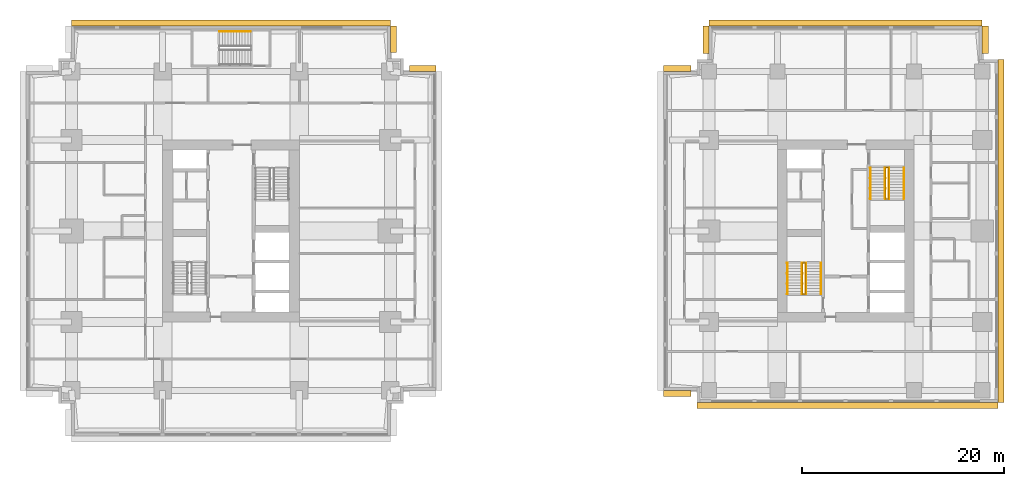
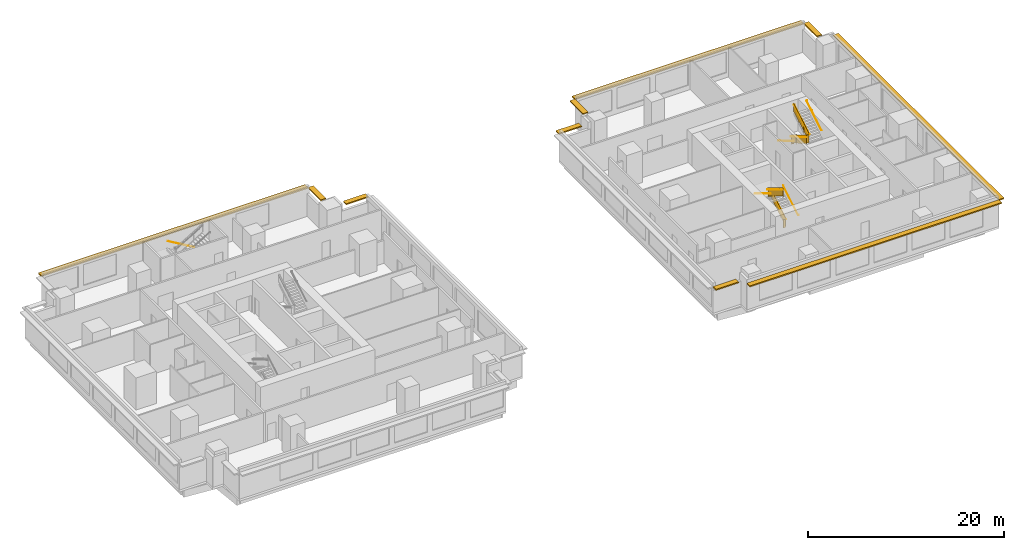
# One storey, part 10 of 10: 11 railings, 10 shading devices.
"""IFC4 building model written with IfcOpenShell, lengths in metres."""

from ifc_helpers import new_model, si_unit, direction, frame, origin, origin_2d, place, context, subcontext, project, spatial, polyline, rectangle, circle, outline, extrude, material, layer, layer_set, type_object, element, save


model = new_model("IFC4")

# Units and contexts
model_context = context("Model", 3, precision=1e-05, world=origin(), true_north=direction((0.0, 1.0)))
body_context = subcontext(model_context, "Body", "Model", "MODEL_VIEW")
ifc_project = project(units=[si_unit("LENGTHUNIT", "METRE"), si_unit("AREAUNIT", "SQUARE_METRE"), si_unit("VOLUMEUNIT", "CUBIC_METRE"), si_unit("PLANEANGLEUNIT", "RADIAN"), si_unit("MASSUNIT", "GRAM", prefix="KILO")], contexts=[model_context])

# Site, building, storey
site_placement = place(None, origin())
site = spatial("IfcSite", under=ifc_project, at=site_placement, CompositionType="ELEMENT")
building_placement = place(site_placement, origin())
building = spatial("IfcBuilding", under=site, at=building_placement, Name="Namib Vertical Campus", CompositionType="ELEMENT")
storey_placement = place(building_placement, frame((0.0, 0.0, 157.0)))
storey = spatial("IfcBuildingStorey", under=building, at=storey_placement, Name="L37", CompositionType="ELEMENT", Elevation=157.0)

# Railings
ifc_material_1 = material(Name="Steel handrail", Category="steel")
railing_type_1 = type_object("IfcRailingType", Name="Handrail 900", PredefinedType="HANDRAIL", material=ifc_material_1)
railing_1_placement = place(storey_placement, frame((78.550048828125, 14.0, 0.166748046875)))
element("IfcRailing", 1, at=railing_1_placement, inside=storey, type_object=railing_type_1, Name="Handrail HR1 B-S1 L37 1", PredefinedType="HANDRAIL", context=body_context, shape_type="SweptSolid", body=[
    extrude(circle(Radius=0.02392578125, at=origin_2d()), frame((0.0, 0.0, 0.8759765625), z_axis=(0.0, 0.859308565015, 0.511457515432), x_axis=(-1.0, 0.0, 0.0)), (0.0, 0.0, 1.0), 3.58447265625),
    extrude(circle(Radius=0.008056640625, at=origin_2d()), frame((0.0, 0.0, 0.8759765625), z_axis=(1.0, 0.0, 0.0), x_axis=(0.0, 0.0, 1.0)), (0.0, 0.0, 1.0), 0.050048828125),
    extrude(circle(Radius=0.008056640625, at=origin_2d()), frame((0.0, 1.026611328125, 1.48681640625), z_axis=(1.0, 0.0, 0.0), x_axis=(0.0, 0.0, 1.0)), (0.0, 0.0, 1.0), 0.050048828125),
    extrude(circle(Radius=0.008056640625, at=origin_2d()), frame((0.0, 2.053466796875, 2.09814453125), z_axis=(1.0, 0.0, 0.0), x_axis=(0.0, 0.0, 1.0)), (0.0, 0.0, 1.0), 0.050048828125),
    extrude(circle(Radius=0.008056640625, at=origin_2d()), frame((0.0, 3.080078125, 2.708984375), z_axis=(1.0, 0.0, 0.0), x_axis=(0.0, 0.0, 1.0)), (0.0, 0.0, 1.0), 0.050048828125),
])
railing_2_placement = place(storey_placement, frame((75.25, 17.080078125, 2.166748046875)))
element("IfcRailing", 2, at=railing_2_placement, inside=storey, type_object=railing_type_1, Name="Handrail HR1 B-S1 L37 2", PredefinedType="HANDRAIL", context=body_context, shape_type="SweptSolid", body=[
    extrude(circle(Radius=0.02392578125, at=origin_2d()), frame((0.0, 0.0, 0.8759765625), z_axis=(0.0, -0.859308565015, 0.511457515432), x_axis=(1.0, 0.0, 0.0)), (0.0, 0.0, 1.0), 3.58447265625),
    extrude(circle(Radius=0.008056640625, at=origin_2d()), frame((0.0, 0.0, 0.8759765625), z_axis=(-1.0, 0.0, 0.0), x_axis=(0.0, 0.0, 1.0)), (0.0, 0.0, 1.0), 0.050048828125),
    extrude(circle(Radius=0.008056640625, at=origin_2d()), frame((0.0, -1.026611328125, 1.48681640625), z_axis=(-1.0, 0.0, 0.0), x_axis=(0.0, 0.0, 1.0)), (0.0, 0.0, 1.0), 0.050048828125),
    extrude(circle(Radius=0.008056640625, at=origin_2d()), frame((0.0, -2.053466796875, 2.09814453125), z_axis=(-1.0, 0.0, 0.0), x_axis=(0.0, 0.0, 1.0)), (0.0, 0.0, 1.0), 0.050048828125),
    extrude(circle(Radius=0.008056640625, at=origin_2d()), frame((0.0, -3.080078125, 2.708984375), z_axis=(-1.0, 0.0, 0.0), x_axis=(0.0, 0.0, 1.0)), (0.0, 0.0, 1.0), 0.050048828125),
])
railing_3_placement = place(storey_placement, frame((77.10009765625, 14.0, 0.166748046875)))
element("IfcRailing", 3, at=railing_3_placement, inside=storey, type_object=railing_type_1, Name="Handrail HR1 B-S1 L37 1 at the well", PredefinedType="HANDRAIL", context=body_context, shape_type="SweptSolid", body=[
    extrude(circle(Radius=0.02392578125, at=origin_2d()), frame((0.0, 0.0, 0.8759765625), z_axis=(0.0, 0.859308565015, 0.511457515432), x_axis=(-1.0, 0.0, 0.0)), (0.0, 0.0, 1.0), 3.58447265625),
    extrude(circle(Radius=0.008056640625, at=origin_2d()), frame((0.0, 0.0, 0.8759765625), z_axis=(-1.0, 0.0, 0.0), x_axis=(0.0, 0.0, 1.0)), (0.0, 0.0, 1.0), 0.0400390625),
    extrude(circle(Radius=0.008056640625, at=origin_2d()), frame((0.0, 1.026611328125, 1.48681640625), z_axis=(-1.0, 0.0, 0.0), x_axis=(0.0, 0.0, 1.0)), (0.0, 0.0, 1.0), 0.0400390625),
    extrude(circle(Radius=0.008056640625, at=origin_2d()), frame((0.0, 2.053466796875, 2.09814453125), z_axis=(-1.0, 0.0, 0.0), x_axis=(0.0, 0.0, 1.0)), (0.0, 0.0, 1.0), 0.0400390625),
    extrude(circle(Radius=0.008056640625, at=origin_2d()), frame((0.0, 3.080078125, 2.708984375), z_axis=(-1.0, 0.0, 0.0), x_axis=(0.0, 0.0, 1.0)), (0.0, 0.0, 1.0), 0.0400390625),
])
railing_4_placement = place(storey_placement, frame((76.699951171875, 17.080078125, 2.166748046875)))
element("IfcRailing", 4, at=railing_4_placement, inside=storey, type_object=railing_type_1, Name="Handrail HR1 B-S1 L37 2 at the well", PredefinedType="HANDRAIL", context=body_context, shape_type="SweptSolid", body=[
    extrude(circle(Radius=0.02392578125, at=origin_2d()), frame((0.0, 0.0, 0.8759765625), z_axis=(0.0, -0.859308565015, 0.511457515432), x_axis=(1.0, 0.0, 0.0)), (0.0, 0.0, 1.0), 3.58447265625),
    extrude(circle(Radius=0.008056640625, at=origin_2d()), frame((0.0, 0.0, 0.8759765625), z_axis=(1.0, 0.0, 0.0), x_axis=(0.0, 0.0, 1.0)), (0.0, 0.0, 1.0), 0.0400390625),
    extrude(circle(Radius=0.008056640625, at=origin_2d()), frame((0.0, -1.026611328125, 1.48681640625), z_axis=(1.0, 0.0, 0.0), x_axis=(0.0, 0.0, 1.0)), (0.0, 0.0, 1.0), 0.0400390625),
    extrude(circle(Radius=0.008056640625, at=origin_2d()), frame((0.0, -2.053466796875, 2.09814453125), z_axis=(1.0, 0.0, 0.0), x_axis=(0.0, 0.0, 1.0)), (0.0, 0.0, 1.0), 0.0400390625),
    extrude(circle(Radius=0.008056640625, at=origin_2d()), frame((0.0, -3.080078125, 2.708984375), z_axis=(1.0, 0.0, 0.0), x_axis=(0.0, 0.0, 1.0)), (0.0, 0.0, 1.0), 0.0400390625),
])
railing_5_placement = place(storey_placement, frame((83.449951171875, 26.5, 0.166748046875)))
element("IfcRailing", 5, at=railing_5_placement, inside=storey, type_object=railing_type_1, Name="Handrail HR1 B-S2 L37 1", PredefinedType="HANDRAIL", context=body_context, shape_type="SweptSolid", body=[
    extrude(circle(Radius=0.02392578125, at=origin_2d()), frame((0.0, 0.0, 0.8759765625), z_axis=(0.0, -0.859308565015, 0.511457515432), x_axis=(1.0, 0.0, 0.0)), (0.0, 0.0, 1.0), 3.58447265625),
    extrude(circle(Radius=0.008056640625, at=origin_2d()), frame((0.0, 0.0, 0.8759765625), z_axis=(-1.0, 0.0, 0.0), x_axis=(0.0, 0.0, 1.0)), (0.0, 0.0, 1.0), 0.050048828125),
    extrude(circle(Radius=0.008056640625, at=origin_2d()), frame((0.0, -1.026611328125, 1.48681640625), z_axis=(-1.0, 0.0, 0.0), x_axis=(0.0, 0.0, 1.0)), (0.0, 0.0, 1.0), 0.050048828125),
    extrude(circle(Radius=0.008056640625, at=origin_2d()), frame((0.0, -2.053466796875, 2.09814453125), z_axis=(-1.0, 0.0, 0.0), x_axis=(0.0, 0.0, 1.0)), (0.0, 0.0, 1.0), 0.050048828125),
    extrude(circle(Radius=0.008056640625, at=origin_2d()), frame((0.0, -3.080078125, 2.708984375), z_axis=(-1.0, 0.0, 0.0), x_axis=(0.0, 0.0, 1.0)), (0.0, 0.0, 1.0), 0.050048828125),
])
railing_6_placement = place(storey_placement, frame((86.75, 23.419921875, 2.166748046875)))
element("IfcRailing", 6, at=railing_6_placement, inside=storey, type_object=railing_type_1, Name="Handrail HR1 B-S2 L37 2", PredefinedType="HANDRAIL", context=body_context, shape_type="SweptSolid", body=[
    extrude(circle(Radius=0.02392578125, at=origin_2d()), frame((0.0, 0.0, 0.8759765625), z_axis=(0.0, 0.859308565015, 0.511457515432), x_axis=(-1.0, 0.0, 0.0)), (0.0, 0.0, 1.0), 3.58447265625),
    extrude(circle(Radius=0.008056640625, at=origin_2d()), frame((0.0, 0.0, 0.8759765625), z_axis=(1.0, 0.0, 0.0), x_axis=(0.0, 0.0, 1.0)), (0.0, 0.0, 1.0), 0.050048828125),
    extrude(circle(Radius=0.008056640625, at=origin_2d()), frame((0.0, 1.026611328125, 1.48681640625), z_axis=(1.0, 0.0, 0.0), x_axis=(0.0, 0.0, 1.0)), (0.0, 0.0, 1.0), 0.050048828125),
    extrude(circle(Radius=0.008056640625, at=origin_2d()), frame((0.0, 2.053466796875, 2.09814453125), z_axis=(1.0, 0.0, 0.0), x_axis=(0.0, 0.0, 1.0)), (0.0, 0.0, 1.0), 0.050048828125),
    extrude(circle(Radius=0.008056640625, at=origin_2d()), frame((0.0, 3.080078125, 2.708984375), z_axis=(1.0, 0.0, 0.0), x_axis=(0.0, 0.0, 1.0)), (0.0, 0.0, 1.0), 0.050048828125),
])
railing_7_placement = place(storey_placement, frame((84.89990234375, 26.5, 0.166748046875)))
element("IfcRailing", 7, at=railing_7_placement, inside=storey, type_object=railing_type_1, Name="Handrail HR1 B-S2 L37 1 at the well", PredefinedType="HANDRAIL", context=body_context, shape_type="SweptSolid", body=[
    extrude(circle(Radius=0.02392578125, at=origin_2d()), frame((0.0, 0.0, 0.8759765625), z_axis=(0.0, -0.859308565015, 0.511457515432), x_axis=(1.0, 0.0, 0.0)), (0.0, 0.0, 1.0), 3.58447265625),
    extrude(circle(Radius=0.008056640625, at=origin_2d()), frame((0.0, 0.0, 0.8759765625), z_axis=(1.0, 0.0, 0.0), x_axis=(0.0, 0.0, 1.0)), (0.0, 0.0, 1.0), 0.0400390625),
    extrude(circle(Radius=0.008056640625, at=origin_2d()), frame((0.0, -1.026611328125, 1.48681640625), z_axis=(1.0, 0.0, 0.0), x_axis=(0.0, 0.0, 1.0)), (0.0, 0.0, 1.0), 0.0400390625),
    extrude(circle(Radius=0.008056640625, at=origin_2d()), frame((0.0, -2.053466796875, 2.09814453125), z_axis=(1.0, 0.0, 0.0), x_axis=(0.0, 0.0, 1.0)), (0.0, 0.0, 1.0), 0.0400390625),
    extrude(circle(Radius=0.008056640625, at=origin_2d()), frame((0.0, -3.080078125, 2.708984375), z_axis=(1.0, 0.0, 0.0), x_axis=(0.0, 0.0, 1.0)), (0.0, 0.0, 1.0), 0.0400390625),
])
railing_8_placement = place(storey_placement, frame((85.300048828125, 23.419921875, 2.166748046875)))
element("IfcRailing", 8, at=railing_8_placement, inside=storey, type_object=railing_type_1, Name="Handrail HR1 B-S2 L37 2 at the well", PredefinedType="HANDRAIL", context=body_context, shape_type="SweptSolid", body=[
    extrude(circle(Radius=0.02392578125, at=origin_2d()), frame((0.0, 0.0, 0.8759765625), z_axis=(0.0, 0.859308565015, 0.511457515432), x_axis=(-1.0, 0.0, 0.0)), (0.0, 0.0, 1.0), 3.58447265625),
    extrude(circle(Radius=0.008056640625, at=origin_2d()), frame((0.0, 0.0, 0.8759765625), z_axis=(-1.0, 0.0, 0.0), x_axis=(0.0, 0.0, 1.0)), (0.0, 0.0, 1.0), 0.0400390625),
    extrude(circle(Radius=0.008056640625, at=origin_2d()), frame((0.0, 1.026611328125, 1.48681640625), z_axis=(-1.0, 0.0, 0.0), x_axis=(0.0, 0.0, 1.0)), (0.0, 0.0, 1.0), 0.0400390625),
    extrude(circle(Radius=0.008056640625, at=origin_2d()), frame((0.0, 2.053466796875, 2.09814453125), z_axis=(-1.0, 0.0, 0.0), x_axis=(0.0, 0.0, 1.0)), (0.0, 0.0, 1.0), 0.0400390625),
    extrude(circle(Radius=0.008056640625, at=origin_2d()), frame((0.0, 3.080078125, 2.708984375), z_axis=(-1.0, 0.0, 0.0), x_axis=(0.0, 0.0, 1.0)), (0.0, 0.0, 1.0), 0.0400390625),
])
railing_9_placement = place(storey_placement, frame((22.199951171875, 39.949951171875, 0.166748046875)))
element("IfcRailing", 9, at=railing_9_placement, inside=storey, type_object=railing_type_1, Name="Handrail HR1 A-S3 L37 1", PredefinedType="HANDRAIL", context=body_context, shape_type="SweptSolid", body=[
    extrude(circle(Radius=0.02392578125, at=origin_2d()), frame((0.0, 0.0, 0.8759765625), z_axis=(-0.859290745958, 0.0, 0.51148745235), x_axis=(0.0, -1.0, 0.0)), (0.0, 0.0, 1.0), 3.584228515625),
    extrude(circle(Radius=0.008056640625, at=origin_2d()), frame((0.0, 0.0, 0.8759765625), z_axis=(0.0, 1.0, 0.0), x_axis=(0.0, 0.0, 1.0)), (0.0, 0.0, 1.0), 0.050048828125),
    extrude(circle(Radius=0.008056640625, at=origin_2d()), frame((-1.026611328125, 0.0, 1.48681640625), z_axis=(0.0, 1.0, 0.0), x_axis=(0.0, 0.0, 1.0)), (0.0, 0.0, 1.0), 0.050048828125),
    extrude(circle(Radius=0.008056640625, at=origin_2d()), frame((-2.05322265625, 0.0, 2.09814453125), z_axis=(0.0, 1.0, 0.0), x_axis=(0.0, 0.0, 1.0)), (0.0, 0.0, 1.0), 0.050048828125),
    extrude(circle(Radius=0.008056640625, at=origin_2d()), frame((-3.079833984375, 0.0, 2.708984375), z_axis=(0.0, 1.0, 0.0), x_axis=(0.0, 0.0, 1.0)), (0.0, 0.0, 1.0), 0.050048828125),
])
ifc_material_2 = material(Name="Steel balustrade", Category="steel")
railing_type_2 = type_object("IfcRailingType", Name="Stair guard 1100", PredefinedType="GUARDRAIL", material=ifc_material_2)
railing_10_placement = place(storey_placement, frame((76.75, 14.0, 0.0)))
element("IfcRailing", 10, at=railing_10_placement, inside=storey, type_object=railing_type_2, Name="Stair guard GR1 B-S1 L37", PredefinedType="GUARDRAIL", context=body_context, shape_type="SweptSolid", body=[
    extrude(circle(Radius=0.02392578125, at=origin_2d()), frame((0.0, 0.0, 1.076171875), z_axis=(1.0, 0.0, 0.0), x_axis=(0.0, 1.0, 0.0)), (0.0, 0.0, 1.0), 0.300048828125),
    extrude(outline(polyline([(0.02099609375, 0.050048828125), (0.279052734375, 0.050048828125), (0.279052734375, 1.052001953125), (0.02099609375, 1.052001953125), (0.02099609375, 0.050048828125)])), frame((0.0, 0.010009765625, 0.0), z_axis=(0.0, -1.0, 0.0), x_axis=(1.0, 0.0, 0.0)), (0.0, 0.0, 1.0), 0.02001953125),
    extrude(circle(Radius=0.02392578125, at=origin_2d()), frame((0.300048828125, 0.0, 1.076171875), z_axis=(0.0, 0.0, 1.0), x_axis=(1.0, 0.0, 0.0)), (0.0, 0.0, 1.0), 0.166748046875),
    extrude(circle(Radius=0.02392578125, at=origin_2d()), frame((0.300048828125, 0.0, 1.24267578125), z_axis=(0.0, 0.859308565015, 0.511457515432), x_axis=(-1.0, 0.0, 0.0)), (0.0, 0.0, 1.0), 3.58447265625),
    extrude(outline(polyline([(0.02099609375, 0.0625), (3.05908203125, 1.870849609375), (3.05908203125, 2.872802734375), (0.02099609375, 1.064453125), (0.02099609375, 0.0625)])), frame((0.2900390625, 0.0, 0.166748046875), z_axis=(1.0, 0.0, 0.0), x_axis=(0.0, 1.0, 0.0)), (0.0, 0.0, 1.0), 0.02001953125),
    extrude(circle(Radius=0.02392578125, at=origin_2d()), frame((0.300048828125, 3.080078125, 3.076171875), z_axis=(-1.0, 0.0, 0.0), x_axis=(0.0, -1.0, 0.0)), (0.0, 0.0, 1.0), 0.300048828125),
    extrude(outline(polyline([(0.02099609375, 0.050048828125), (0.279052734375, 0.050048828125), (0.279052734375, 1.052001953125), (0.02099609375, 1.052001953125), (0.02099609375, 0.050048828125)])), frame((0.300048828125, 3.070068359375, 2.0), z_axis=(0.0, 1.0, 0.0), x_axis=(-1.0, 0.0, 0.0)), (0.0, 0.0, 1.0), 0.02001953125),
    extrude(circle(Radius=0.02392578125, at=origin_2d()), frame((0.0, 3.080078125, 3.076171875), z_axis=(0.0, 0.0, 1.0), x_axis=(1.0, 0.0, 0.0)), (0.0, 0.0, 1.0), 0.166748046875),
    extrude(circle(Radius=0.02392578125, at=origin_2d()), frame((0.0, 3.080078125, 3.24267578125), z_axis=(0.0, -0.859308565015, 0.511457515432), x_axis=(1.0, 0.0, 0.0)), (0.0, 0.0, 1.0), 3.58447265625),
    extrude(outline(polyline([(0.02099609375, 0.0625), (3.05908203125, 1.870849609375), (3.05908203125, 2.872802734375), (0.02099609375, 1.064453125), (0.02099609375, 0.0625)])), frame((0.010009765625, 3.080078125, 2.166748046875), z_axis=(-1.0, 0.0, 0.0), x_axis=(0.0, -1.0, 0.0)), (0.0, 0.0, 1.0), 0.02001953125),
    extrude(circle(Radius=0.02392578125, at=origin_2d()), frame((0.0, 0.0, 5.076171875), z_axis=(0.0, -1.0, 0.0), x_axis=(1.0, 0.0, 0.0)), (0.0, 0.0, 1.0), 0.050048828125),
    extrude(outline(polyline([(0.02099609375, 0.050048828125), (0.029052734375, 0.050048828125), (0.029052734375, 1.052001953125), (0.02099609375, 1.052001953125), (0.02099609375, 0.050048828125)])), frame((0.010009765625, 0.0, 4.0), z_axis=(-1.0, 0.0, 0.0), x_axis=(0.0, -1.0, 0.0)), (0.0, 0.0, 1.0), 0.02001953125),
    extrude(circle(Radius=0.02099609375, at=origin_2d()), origin(), (0.0, 0.0, 1.0), 1.052001953125),
    extrude(circle(Radius=0.02099609375, at=origin_2d()), frame((0.300048828125, 0.0, 0.166748046875)), (0.0, 0.0, 1.0), 1.052001953125),
    extrude(circle(Radius=0.02099609375, at=origin_2d()), frame((0.300048828125, 1.026611328125, 0.666748046875)), (0.0, 0.0, 1.0), 1.1630859375),
    extrude(circle(Radius=0.02099609375, at=origin_2d()), frame((0.300048828125, 2.053466796875, 1.33349609375)), (0.0, 0.0, 1.0), 1.107421875),
    extrude(circle(Radius=0.02099609375, at=origin_2d()), frame((0.300048828125, 3.080078125, 2.0)), (0.0, 0.0, 1.0), 1.052001953125),
    extrude(circle(Radius=0.02099609375, at=origin_2d()), frame((0.0, 3.080078125, 2.166748046875)), (0.0, 0.0, 1.0), 1.052001953125),
    extrude(circle(Radius=0.02099609375, at=origin_2d()), frame((0.0, 2.053466796875, 2.666748046875)), (0.0, 0.0, 1.0), 1.1630859375),
    extrude(circle(Radius=0.02099609375, at=origin_2d()), frame((0.0, 1.026611328125, 3.33349609375)), (0.0, 0.0, 1.0), 1.107421875),
    extrude(circle(Radius=0.02099609375, at=origin_2d()), frame((0.0, 0.0, 4.0)), (0.0, 0.0, 1.0), 1.052001953125),
    extrude(circle(Radius=0.02099609375, at=origin_2d()), frame((0.0, -0.050048828125, 4.0)), (0.0, 0.0, 1.0), 1.052001953125),
])
railing_11_placement = place(storey_placement, frame((85.25, 26.5, 0.0)))
element("IfcRailing", 11, at=railing_11_placement, inside=storey, type_object=railing_type_2, Name="Stair guard GR1 B-S2 L37", PredefinedType="GUARDRAIL", context=body_context, shape_type="SweptSolid", body=[
    extrude(circle(Radius=0.02392578125, at=origin_2d()), frame((0.0, 0.0, 1.076171875), z_axis=(-1.0, 0.0, 0.0), x_axis=(0.0, -1.0, 0.0)), (0.0, 0.0, 1.0), 0.300048828125),
    extrude(outline(polyline([(0.02099609375, 0.050048828125), (0.279052734375, 0.050048828125), (0.279052734375, 1.052001953125), (0.02099609375, 1.052001953125), (0.02099609375, 0.050048828125)])), frame((0.0, -0.010009765625, 0.0), z_axis=(0.0, 1.0, 0.0), x_axis=(-1.0, 0.0, 0.0)), (0.0, 0.0, 1.0), 0.02001953125),
    extrude(circle(Radius=0.02392578125, at=origin_2d()), frame((-0.300048828125, 0.0, 1.076171875), z_axis=(0.0, 0.0, 1.0), x_axis=(1.0, 0.0, 0.0)), (0.0, 0.0, 1.0), 0.166748046875),
    extrude(circle(Radius=0.02392578125, at=origin_2d()), frame((-0.300048828125, 0.0, 1.24267578125), z_axis=(0.0, -0.859308565015, 0.511457515432), x_axis=(1.0, 0.0, 0.0)), (0.0, 0.0, 1.0), 3.58447265625),
    extrude(outline(polyline([(0.02099609375, 0.0625), (3.05908203125, 1.870849609375), (3.05908203125, 2.872802734375), (0.02099609375, 1.064453125), (0.02099609375, 0.0625)])), frame((-0.2900390625, 0.0, 0.166748046875), z_axis=(-1.0, 0.0, 0.0), x_axis=(0.0, -1.0, 0.0)), (0.0, 0.0, 1.0), 0.02001953125),
    extrude(circle(Radius=0.02392578125, at=origin_2d()), frame((-0.300048828125, -3.080078125, 3.076171875), z_axis=(1.0, 0.0, 0.0), x_axis=(0.0, 1.0, 0.0)), (0.0, 0.0, 1.0), 0.300048828125),
    extrude(outline(polyline([(0.02099609375, 0.050048828125), (0.279052734375, 0.050048828125), (0.279052734375, 1.052001953125), (0.02099609375, 1.052001953125), (0.02099609375, 0.050048828125)])), frame((-0.300048828125, -3.070068359375, 2.0), z_axis=(0.0, -1.0, 0.0), x_axis=(1.0, 0.0, 0.0)), (0.0, 0.0, 1.0), 0.02001953125),
    extrude(circle(Radius=0.02392578125, at=origin_2d()), frame((0.0, -3.080078125, 3.076171875), z_axis=(0.0, 0.0, 1.0), x_axis=(1.0, 0.0, 0.0)), (0.0, 0.0, 1.0), 0.166748046875),
    extrude(circle(Radius=0.02392578125, at=origin_2d()), frame((0.0, -3.080078125, 3.24267578125), z_axis=(0.0, 0.859308565015, 0.511457515432), x_axis=(-1.0, 0.0, 0.0)), (0.0, 0.0, 1.0), 3.58447265625),
    extrude(outline(polyline([(0.02099609375, 0.0625), (3.05908203125, 1.870849609375), (3.05908203125, 2.872802734375), (0.02099609375, 1.064453125), (0.02099609375, 0.0625)])), frame((-0.010009765625, -3.080078125, 2.166748046875), z_axis=(1.0, 0.0, 0.0), x_axis=(0.0, 1.0, 0.0)), (0.0, 0.0, 1.0), 0.02001953125),
    extrude(circle(Radius=0.02392578125, at=origin_2d()), frame((0.0, 0.0, 5.076171875), z_axis=(0.0, 1.0, 0.0), x_axis=(-1.0, 0.0, 0.0)), (0.0, 0.0, 1.0), 0.050048828125),
    extrude(outline(polyline([(0.02099609375, 0.050048828125), (0.029052734375, 0.050048828125), (0.029052734375, 1.052001953125), (0.02099609375, 1.052001953125), (0.02099609375, 0.050048828125)])), frame((-0.010009765625, 0.0, 4.0), z_axis=(1.0, 0.0, 0.0), x_axis=(0.0, 1.0, 0.0)), (0.0, 0.0, 1.0), 0.02001953125),
    extrude(circle(Radius=0.02099609375, at=origin_2d()), origin(), (0.0, 0.0, 1.0), 1.052001953125),
    extrude(circle(Radius=0.02099609375, at=origin_2d()), frame((-0.300048828125, 0.0, 0.166748046875)), (0.0, 0.0, 1.0), 1.052001953125),
    extrude(circle(Radius=0.02099609375, at=origin_2d()), frame((-0.300048828125, -1.026611328125, 0.666748046875)), (0.0, 0.0, 1.0), 1.1630859375),
    extrude(circle(Radius=0.02099609375, at=origin_2d()), frame((-0.300048828125, -2.053466796875, 1.33349609375)), (0.0, 0.0, 1.0), 1.107421875),
    extrude(circle(Radius=0.02099609375, at=origin_2d()), frame((-0.300048828125, -3.080078125, 2.0)), (0.0, 0.0, 1.0), 1.052001953125),
    extrude(circle(Radius=0.02099609375, at=origin_2d()), frame((0.0, -3.080078125, 2.166748046875)), (0.0, 0.0, 1.0), 1.052001953125),
    extrude(circle(Radius=0.02099609375, at=origin_2d()), frame((0.0, -2.053466796875, 2.666748046875)), (0.0, 0.0, 1.0), 1.1630859375),
    extrude(circle(Radius=0.02099609375, at=origin_2d()), frame((0.0, -1.026611328125, 3.33349609375)), (0.0, 0.0, 1.0), 1.107421875),
    extrude(circle(Radius=0.02099609375, at=origin_2d()), frame((0.0, 0.0, 4.0)), (0.0, 0.0, 1.0), 1.052001953125),
    extrude(circle(Radius=0.02099609375, at=origin_2d()), frame((0.0, 0.050048828125, 4.0)), (0.0, 0.0, 1.0), 1.052001953125),
])

# Shading devices
ifc_material_3 = material(Name="Concrete C40/50 precast", Category="concrete")
ifc_layer = layer(ifc_material_3, 0.14990234375)
ifc_layer_set = layer_set([ifc_layer], Name="Concrete C40/50 precast")
shading_device_type = type_object("IfcShadingDeviceType", Name="Sunshade hood 600", PredefinedType="SHUTTER", material=ifc_layer_set)
for number, where, z_axis, x_axis, name in (
    (12, (39.199951171875, 36.300048828125, 3.199951171875), (0.0, 0.0, 1.0), (-1.0, 0.0, 0.0), "Sunshade SH3 L37 7"),
    (13, (36.300048828125, 39.199951171875, 3.199951171875), (0.0, 0.0, 1.0), (0.0, 1.0, 0.0), "Sunshade SH3 L37 10"),
):
    element("IfcShadingDevice", number, at=place(storey_placement, frame(where, z_axis=z_axis, x_axis=x_axis)), inside=storey, type_object=shading_device_type, Name=name, PredefinedType="SHUTTER", context=body_context, shape_type="SweptSolid", body=[
        extrude(rectangle(XDim=2.60009765625, YDim=0.60009765625, at=origin_2d()), origin(), (0.0, 0.0, 1.0), 0.14990234375),
    ])
shading_device_1_placement = place(storey_placement, frame((20.25, 40.800048828125, 3.199951171875), z_axis=(0.0, 0.0, 1.0), x_axis=(-1.0, 0.0, 0.0)))
element("IfcShadingDevice", 14, at=shading_device_1_placement, inside=storey, type_object=shading_device_type, Name="Sunshade SH3 L37 11", PredefinedType="SHUTTER", context=body_context, shape_type="SweptSolid", body=[
    extrude(rectangle(XDim=31.5, YDim=0.60009765625, at=origin_2d()), origin(), (0.0, 0.0, 1.0), 0.14990234375),
])
shading_device_2_placement = place(storey_placement, frame((64.35009765625, 4.199951171875, 3.199951171875), z_axis=(0.0, 0.0, 1.0), x_axis=(1.0, 0.0, 0.0)))
element("IfcShadingDevice", 15, at=shading_device_2_placement, inside=storey, type_object=shading_device_type, Name="Sunshade SH3 L37 1", PredefinedType="SHUTTER", context=body_context, shape_type="SweptSolid", body=[
    extrude(rectangle(XDim=2.699951171875, YDim=0.60009765625, at=origin_2d()), origin(), (0.0, 0.0, 1.0), 0.14990234375),
])
shading_device_3_placement = place(storey_placement, frame((81.175048828125, 3.0, 3.199951171875), z_axis=(0.0, 0.0, 1.0), x_axis=(1.0, 0.0, 0.0)))
element("IfcShadingDevice", 16, at=shading_device_3_placement, inside=storey, type_object=shading_device_type, Name="Sunshade SH3 L37 3", PredefinedType="SHUTTER", context=body_context, shape_type="SweptSolid", body=[
    extrude(rectangle(XDim=29.75, YDim=0.60009765625, at=origin_2d()), origin(), (0.0, 0.0, 1.0), 0.14990234375),
])
shading_device_4_placement = place(storey_placement, frame((96.35009765625, 20.25, 3.199951171875), z_axis=(0.0, 0.0, 1.0), x_axis=(0.0, 1.0, 0.0)))
element("IfcShadingDevice", 17, at=shading_device_4_placement, inside=storey, type_object=shading_device_type, Name="Sunshade SH3 L37 4", PredefinedType="SHUTTER", context=body_context, shape_type="SweptSolid", body=[
    extrude(rectangle(XDim=33.89990234375, YDim=0.60009765625, at=origin_2d()), origin(), (0.0, 0.0, 1.0), 0.14990234375),
])
shading_device_5_placement = place(storey_placement, frame((94.800048828125, 39.14990234375, 3.199951171875), z_axis=(0.0, 0.0, 1.0), x_axis=(0.0, 1.0, 0.0)))
element("IfcShadingDevice", 18, at=shading_device_5_placement, inside=storey, type_object=shading_device_type, Name="Sunshade SH3 L37 6", PredefinedType="SHUTTER", context=body_context, shape_type="SweptSolid", body=[
    extrude(rectangle(XDim=2.699951171875, YDim=0.60009765625, at=origin_2d()), origin(), (0.0, 0.0, 1.0), 0.14990234375),
])
shading_device_6_placement = place(storey_placement, frame((81.0, 40.800048828125, 3.199951171875), z_axis=(0.0, 0.0, 1.0), x_axis=(-1.0, 0.0, 0.0)))
element("IfcShadingDevice", 19, at=shading_device_6_placement, inside=storey, type_object=shading_device_type, Name="Sunshade SH3 L37 7", PredefinedType="SHUTTER", context=body_context, shape_type="SweptSolid", body=[
    extrude(rectangle(XDim=27.0, YDim=0.60009765625, at=origin_2d()), origin(), (0.0, 0.0, 1.0), 0.14990234375),
])
for number, where, z_axis, x_axis, name in (
    (20, (67.199951171875, 39.14990234375, 3.199951171875), (0.0, 0.0, 1.0), (0.0, -1.0, 0.0), "Sunshade SH3 L37 8"),
    (21, (64.35009765625, 36.300048828125, 3.199951171875), (0.0, 0.0, 1.0), (-1.0, 0.0, 0.0), "Sunshade SH3 L37 11"),
):
    element("IfcShadingDevice", number, at=place(storey_placement, frame(where, z_axis=z_axis, x_axis=x_axis)), inside=storey, type_object=shading_device_type, Name=name, PredefinedType="SHUTTER", context=body_context, shape_type="SweptSolid", body=[
        extrude(rectangle(XDim=2.699951171875, YDim=0.60009765625, at=origin_2d()), origin(), (0.0, 0.0, 1.0), 0.14990234375),
    ])

save(model, "model.ifc")
